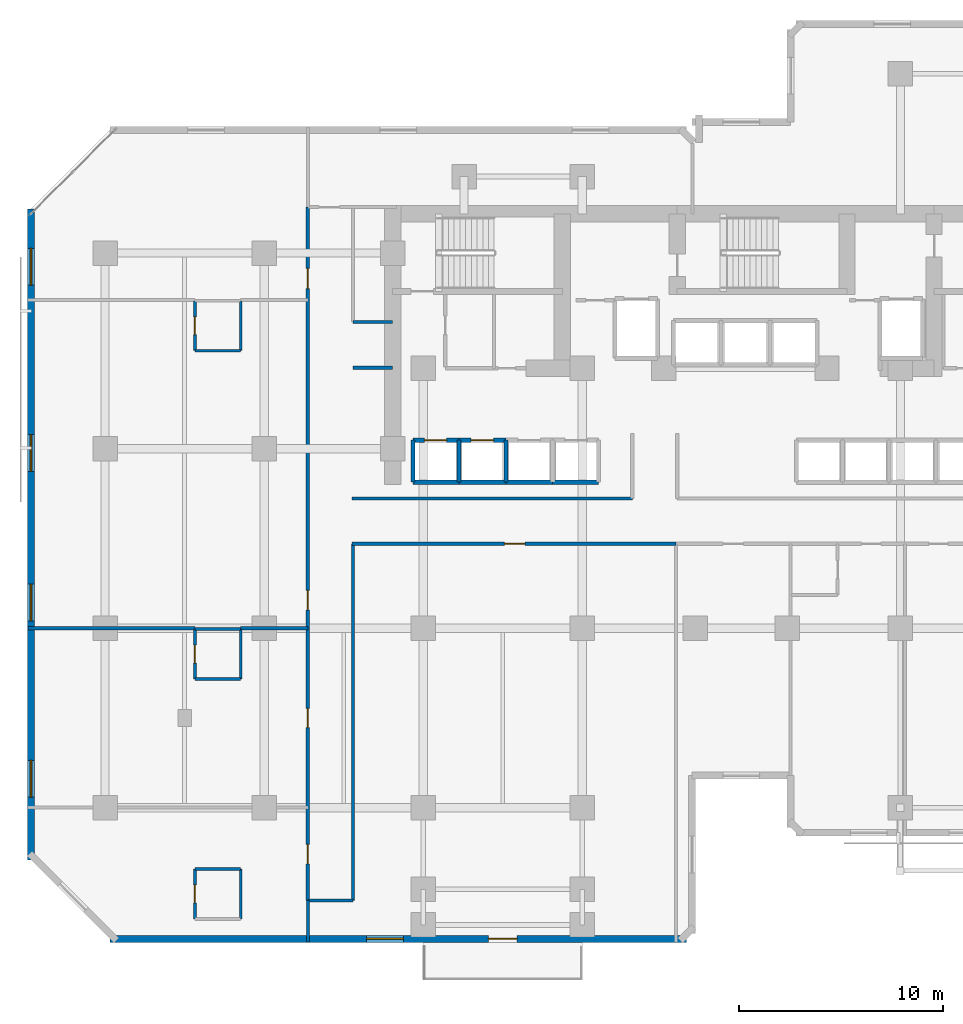
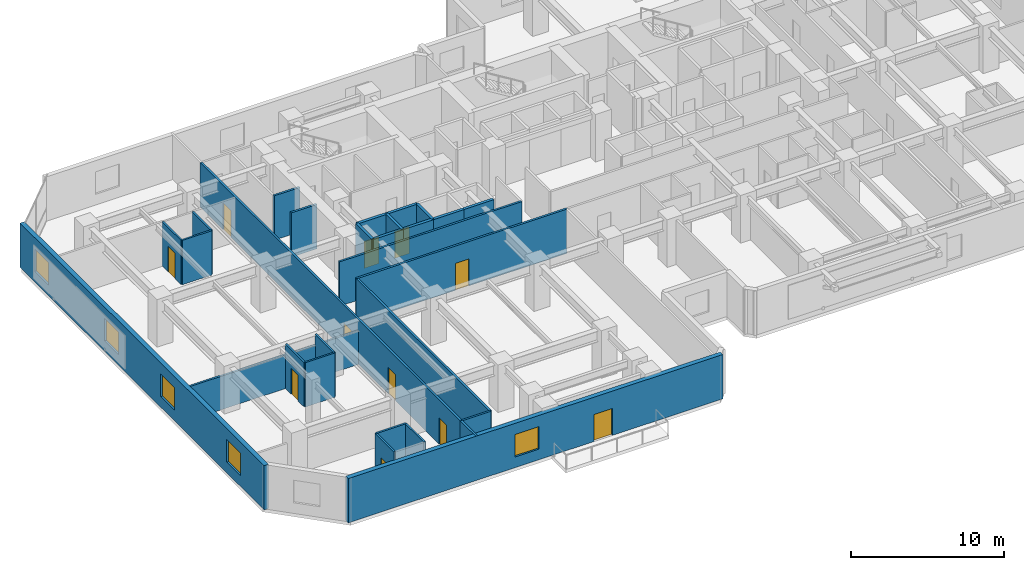
# One storey, part 6 of 12: 31 walls, 11 doors, 5 windows, 16 openings.
"""IFC4 building model written with IfcOpenShell, lengths in metres."""

import ifcopenshell
import ifcopenshell.guid

model = None  # the IFC model being written
_history = None  # IfcOwnerHistory: only IFC2X3 demands one
_inside = {}  # id of a spatial element -> (the spatial element, [elements in it])
_under = {}  # id of a project, library or spatial element -> (it, [spatial elements below it])
_declared = {}  # id of a project -> (the project, [libraries it declares])
_typed = {}  # id of a type object -> (the type object, [elements of that type])
_made_of = {}  # id of a material, layer set ... -> (it, [elements and type objects made of it])


def new_model(schema):
    """Start an empty IFC model of exactly this schema.

    Asked for "IFC4X3", IfcOpenShell would pick the latest addendum, in which some entities
    have other attributes; the version numbers below select the first issue.
    IFC2X3 requires an IfcOwnerHistory on every rooted entity: one is made here for all.
    """
    global model, _history
    if schema == "IFC4X3":
        model = ifcopenshell.file(schema_version=(4, 3, 0, 0))
    else:
        model = ifcopenshell.file(schema=schema)
    _inside.clear()
    _under.clear()
    _declared.clear()
    _typed.clear()
    _made_of.clear()
    _history = None
    if model.schema == "IFC2X3":
        org = make("IfcOrganization", Name="unknown")
        user = make(
            "IfcPersonAndOrganization",
            ThePerson=make("IfcPerson", FamilyName="unknown"),
            TheOrganization=org,
        )
        app = make(
            "IfcApplication",
            ApplicationDeveloper=org,
            Version="unknown",
            ApplicationFullName="unknown",
            ApplicationIdentifier="unknown",
        )
        _history = make(
            "IfcOwnerHistory",
            OwningUser=user,
            OwningApplication=app,
            ChangeAction="ADDED",
            CreationDate=0,
        )
    return model


def make(cls, **values):
    """One entity of the class cls with the attributes given. An attribute that is None is left unset."""
    return model.create_entity(
        cls, **{name: value for name, value in values.items() if value is not None}
    )


def rooted(cls, **values):
    """An entity with a GlobalId (a new one), such as an element, a storey or a relation."""
    return make(cls, GlobalId=ifcopenshell.guid.new(), OwnerHistory=_history, **values)


def si_unit(unit_type, name, prefix=None):
    """IfcSIUnit, for example si_unit("LENGTHUNIT", "METRE", prefix="MILLI")."""
    return make("IfcSIUnit", UnitType=unit_type, Prefix=prefix, Name=name)


def assignment(units):
    """IfcUnitAssignment: the units of a project."""
    return None if units is None else make("IfcUnitAssignment", Units=units)


def point(xyz):
    """IfcCartesianPoint."""
    return None if xyz is None else make("IfcCartesianPoint", Coordinates=xyz)


def direction(xyz):
    """IfcDirection."""
    return None if xyz is None else make("IfcDirection", DirectionRatios=xyz)


def frame(location, z_axis=None, x_axis=None):
    """IfcAxis2Placement3D, a coordinate frame: its origin and axes. An axis left out is left unset."""
    return make(
        "IfcAxis2Placement3D",
        Location=point(location),
        Axis=direction(z_axis),
        RefDirection=direction(x_axis),
    )


def frame_2d(location, x_axis=None):
    """IfcAxis2Placement2D, a coordinate frame in the plane: its origin and x axis."""
    return make(
        "IfcAxis2Placement2D", Location=point(location), RefDirection=direction(x_axis)
    )


def origin():
    """The frame at (0, 0, 0) with its axes left unset."""
    return frame((0.0, 0.0, 0.0))


def place(relative_to, where):
    """IfcLocalPlacement: puts the frame where relative to a parent placement (None: the world)."""
    return make(
        "IfcLocalPlacement", PlacementRelTo=relative_to, RelativePlacement=where
    )


def context(
    kind, dimensions, precision=None, world=None, true_north=None, identifier=None
):
    """IfcGeometricRepresentationContext, for example the 3D "Model" context."""
    return make(
        "IfcGeometricRepresentationContext",
        ContextIdentifier=identifier,
        ContextType=kind,
        CoordinateSpaceDimension=dimensions,
        Precision=precision,
        WorldCoordinateSystem=world,
        TrueNorth=true_north,
    )


def subcontext(parent, identifier, kind, view, scale=None):
    """IfcGeometricRepresentationSubContext, for example "Body" below "Model"."""
    return make(
        "IfcGeometricRepresentationSubContext",
        ContextIdentifier=identifier,
        ContextType=kind,
        ParentContext=parent,
        TargetScale=scale,
        TargetView=view,
    )


def project(units=None, contexts=None):
    """IfcProject with its units and contexts."""
    return rooted(
        "IfcProject",
        Name="project",
        RepresentationContexts=contexts,
        UnitsInContext=assignment(units),
    )


def spatial(cls, under=None, at=None, **own):
    """A site, building, storey or space (cls), placed at a placement, below another one or the project."""
    s = rooted(cls, ObjectPlacement=at, **own)
    if under is not None:
        _under.setdefault(under.id(), (under, []))[1].append(s)
    return s


def profile(cls, at=None, kind="AREA", **sizes):
    """A parametric profile (cls). Its sizes go by their IFC names, for example OverallWidth=200.0."""
    return make(cls, ProfileType=kind, Position=at, **sizes)


def rectangle(**sizes):
    """IfcRectangleProfileDef."""
    return profile("IfcRectangleProfileDef", **sizes)


def extrude(swept, where, along, depth):
    """IfcExtrudedAreaSolid: the profile swept, set in the frame where, extruded along a direction by depth."""
    return make(
        "IfcExtrudedAreaSolid",
        SweptArea=swept,
        Position=where,
        ExtrudedDirection=direction(along),
        Depth=depth,
    )


def shape(context_of_items, identifier, shape_type, items):
    """IfcShapeRepresentation: the items that make up one representation, for example the "Body"."""
    return make(
        "IfcShapeRepresentation",
        ContextOfItems=context_of_items,
        RepresentationIdentifier=identifier,
        RepresentationType=shape_type,
        Items=items,
    )


def material(Name=None, Category=None):
    """IfcMaterial."""
    return make("IfcMaterial", Name=Name, Category=Category)


def layer(
    of_material, thickness, ventilated=None, Name=None, Category=None, Priority=None
):
    """IfcMaterialLayer: one layer of a wall or slab, of a material (None: an air gap)."""
    return make(
        "IfcMaterialLayer",
        Material=of_material,
        LayerThickness=thickness,
        IsVentilated=ventilated,
        Name=Name,
        Category=Category,
        Priority=Priority,
    )


def layer_set(layers, Name=None):
    """IfcMaterialLayerSet."""
    return make("IfcMaterialLayerSet", MaterialLayers=layers, LayerSetName=Name)


def made_of(thing, what):
    """Note that an element or type object is made of a material, layer set ...; save() writes the relation."""
    if what is not None:
        _made_of.setdefault(what.id(), (what, []))[1].append(thing)
    return thing


def type_object(cls, material=None, **own):
    """A type object (cls), such as IfcWallType, which elements share."""
    return made_of(rooted(cls, **own), material)


def element(
    cls,
    number,
    at=None,
    inside=None,
    cuts=None,
    type_object=None,
    material=None,
    context=None,
    identifier="Body",
    shape_type=None,
    held_by="IfcProductDefinitionShape",
    body=None,
    shapes=None,
    **own,
):
    """One element of the class cls, such as IfcWall. Its Tag is "e" and its number.

    at: its placement. inside: the storey or other place that contains it. cuts: it is an
    opening in that element (IfcRelVoidsElement). A single representation is given by context,
    identifier, shape_type and body (its items); several are given by shapes. held_by: the class
    of the entity that holds the representations. save() writes the other relations.
    """
    e = rooted(cls, Tag="e%d" % number, ObjectPlacement=at, **own)
    if body is not None:
        shapes = [shape(context, identifier, shape_type, body)]
    if shapes is not None:
        e.Representation = make(held_by, Representations=shapes)
    if inside is not None:
        _inside.setdefault(inside.id(), (inside, []))[1].append(e)
    if cuts is not None:
        rooted(
            "IfcRelVoidsElement", RelatingBuildingElement=cuts, RelatedOpeningElement=e
        )
    if type_object is not None:
        _typed.setdefault(type_object.id(), (type_object, []))[1].append(e)
    return made_of(e, material)


def fill(opening, filler):
    """IfcRelFillsElement: the door or window that sits in an opening."""
    return rooted(
        "IfcRelFillsElement",
        RelatingOpeningElement=opening,
        RelatedBuildingElement=filler,
    )


def aggregate(whole, parts):
    """IfcRelAggregates: a whole, such as a stair, and the parts it consists of."""
    return rooted("IfcRelAggregates", RelatingObject=whole, RelatedObjects=parts)


def save(model, path):
    """Write the relations noted so far, then the file.

    IfcRelAggregates (storeys below a building ...), IfcRelContainedInSpatialStructure (elements
    in a storey), IfcRelDefinesByType, IfcRelAssociatesMaterial and IfcRelDeclares: one each for
    every whole, place, type object, material and project.
    """
    for whole, parts in _under.values():
        aggregate(whole, parts)
    for where, things in _inside.values():
        rooted(
            "IfcRelContainedInSpatialStructure",
            RelatedElements=things,
            RelatingStructure=where,
        )
    for kind, things in _typed.values():
        rooted("IfcRelDefinesByType", RelatedObjects=things, RelatingType=kind)
    for what, things in _made_of.values():
        rooted("IfcRelAssociatesMaterial", RelatedObjects=things, RelatingMaterial=what)
    for by, libraries in _declared.values():
        rooted("IfcRelDeclares", RelatingContext=by, RelatedDefinitions=libraries)
    model.write(path)


model = new_model("IFC4")

# Units and contexts
model_context = context("Model", 3, precision=1e-05, world=origin(), true_north=direction((0.0, 1.0)))
body_context = subcontext(model_context, "Body", "Model", "MODEL_VIEW")
ifc_project = project(units=[si_unit("LENGTHUNIT", "METRE"), si_unit("AREAUNIT", "SQUARE_METRE"), si_unit("VOLUMEUNIT", "CUBIC_METRE"), si_unit("PLANEANGLEUNIT", "RADIAN"), si_unit("MASSUNIT", "GRAM", prefix="KILO")], contexts=[model_context])

# Site, building, storey
site_placement = place(None, origin())
site = spatial("IfcSite", under=ifc_project, at=site_placement, CompositionType="ELEMENT")
building_placement = place(site_placement, origin())
building = spatial("IfcBuilding", under=site, at=building_placement, Name="Kestravale Grand Hotel", CompositionType="ELEMENT")
storey_placement = place(building_placement, frame((0.0, 0.0, 103.199951171875)))
storey = spatial("IfcBuildingStorey", under=building, at=storey_placement, Name="L25", CompositionType="ELEMENT", Elevation=103.199951171875)

# Wall, openings, door, window
ifc_material_1 = material(Name="Precast concrete f'c 45 MPa", Category="concrete")
ifc_layer_1 = layer(ifc_material_1, 0.340087890625)
ifc_layer_set_1 = layer_set([ifc_layer_1], Name="EW-PREC-340")
wall_type_1 = type_object("IfcWallType", Name="EW-PREC-340", PredefinedType="SOLIDWALL", material=ifc_layer_set_1)
wall_1_placement = place(storey_placement, frame((8.030029296875, 4.77001953125, 0.0), z_axis=(0.0, 0.0, 1.0), x_axis=(1.0, 0.0, 0.0)))
wall_1 = element("IfcWall", 1, at=wall_1_placement, inside=storey, type_object=wall_type_1, Name="L25 fluted precast facade wall 1", PredefinedType="SOLIDWALL", context=body_context, shape_type="SweptSolid", body=[
    extrude(rectangle(XDim=28.2900390625, YDim=0.340087890625, at=frame_2d((14.14501953125, 0.0))), origin(), (0.0, 0.0, 1.0), 3.5400390625),
])
opening_1_placement = place(wall_1_placement, frame((18.570068359375, 0.0, 0.0)))
opening_1 = element("IfcOpeningElement", 2, at=opening_1_placement, cuts=wall_1, Name="Opening D-TERR-1400", PredefinedType="OPENING", context=body_context, shape_type="SweptSolid", body=[
    extrude(rectangle(XDim=1.39990234375, YDim=2.14990234375, at=frame_2d((0.699951171875, 1.074951171875))), frame((0.0, 0.179931640625, 0.0), z_axis=(0.0, -1.0, 0.0), x_axis=(1.0, 0.0, 0.0)), (0.0, 0.0, 1.0), 0.360107421875),
])
opening_2_placement = place(wall_1_placement, frame((12.594970703125, 0.0, 0.85009765625)))
opening_2 = element("IfcOpeningElement", 3, at=opening_2_placement, cuts=wall_1, Name="Opening W-GUEST-1800", PredefinedType="OPENING", context=body_context, shape_type="SweptSolid", body=[
    extrude(rectangle(XDim=1.800048828125, YDim=1.800048828125, at=frame_2d((0.89990234375, 0.89990234375))), frame((0.0, 0.179931640625, 0.0), z_axis=(0.0, -1.0, 0.0), x_axis=(1.0, 0.0, 0.0)), (0.0, 0.0, 1.0), 0.360107421875),
])
ifc_material_2 = material(Name="Insulated glazed champagne-bronze aluminium door", Category="aluminium")
door_type_1 = type_object("IfcDoorType", Name="D-TERR-1400", OperationType="NOTDEFINED", PredefinedType="DOOR", material=ifc_material_2)
door_1_placement = place(opening_1_placement, origin())
door_1 = element("IfcDoor", 4, at=door_1_placement, inside=storey, type_object=door_type_1, Name="L25 outdoor garden terrace door", OperationType="DOUBLE_DOOR_SINGLE_SWING", OverallHeight=2.14990234375, OverallWidth=1.39990234375, PredefinedType="DOOR", context=body_context, shape_type="SweptSolid", body=[
    extrude(rectangle(XDim=1.39990234375, YDim=2.14990234375, at=frame_2d((0.699951171875, 1.074951171875))), frame((0.0, 0.02490234375, 0.0), z_axis=(0.0, -1.0, 0.0), x_axis=(1.0, 0.0, 0.0)), (0.0, 0.0, 1.0), 0.050048828125),
])
fill(opening_1, door_1)
ifc_material_3 = material(Name="Insulated low-E double glazing in aluminium frame", Category="aluminium")
window_type = type_object("IfcWindowType", Name="W-GUEST-1800", PartitioningType="DOUBLE_PANEL_VERTICAL", PredefinedType="WINDOW", material=ifc_material_3)
window_1_placement = place(opening_2_placement, origin())
window_1 = element("IfcWindow", 5, at=window_1_placement, inside=storey, type_object=window_type, Name="L25 exterior window 1.1", OverallHeight=1.800048828125, OverallWidth=1.800048828125, PartitioningType="SINGLE_PANEL", PredefinedType="WINDOW", context=body_context, shape_type="SweptSolid", body=[
    extrude(rectangle(XDim=1.800048828125, YDim=1.800048828125, at=frame_2d((0.89990234375, 0.89990234375))), frame((0.0, 0.030029296875, 0.0), z_axis=(0.0, -1.0, 0.0), x_axis=(1.0, 0.0, 0.0)), (0.0, 0.0, 1.0), 0.06005859375),
])
fill(opening_2, window_1)

# Wall, openings, windows
wall_2_placement = place(storey_placement, frame((4.169921875, 40.570068359375, 0.0), z_axis=(0.0, 0.0, 1.0), x_axis=(0.0, -1.0, 0.0)))
wall_2 = element("IfcWall", 6, at=wall_2_placement, inside=storey, type_object=wall_type_1, Name="L25 fluted precast facade wall 19", PredefinedType="SOLIDWALL", context=body_context, shape_type="SweptSolid", body=[
    extrude(rectangle(XDim=31.940185546875, YDim=0.340087890625, at=frame_2d((15.97021484375, 0.0))), origin(), (0.0, 0.0, 1.0), 3.5400390625),
])
opening_3_placement = place(wall_2_placement, frame((1.9423828125, 0.0, 0.85009765625)))
opening_3 = element("IfcOpeningElement", 7, at=opening_3_placement, cuts=wall_2, Name="Opening W-GUEST-1800", PredefinedType="OPENING", context=body_context, shape_type="SweptSolid", body=[
    extrude(rectangle(XDim=1.800048828125, YDim=1.800048828125, at=frame_2d((0.89990234375, 0.89990234375))), frame((0.0, 0.179931640625, 0.0), z_axis=(0.0, -1.0, 0.0), x_axis=(1.0, 0.0, 0.0)), (0.0, 0.0, 1.0), 0.360107421875),
])
opening_4_placement = place(wall_2_placement, frame((11.077392578125, 0.0, 0.85009765625)))
opening_4 = element("IfcOpeningElement", 8, at=opening_4_placement, cuts=wall_2, Name="Opening W-GUEST-1800", PredefinedType="OPENING", context=body_context, shape_type="SweptSolid", body=[
    extrude(rectangle(XDim=1.800048828125, YDim=1.800048828125, at=frame_2d((0.89990234375, 0.89990234375))), frame((0.0, 0.179931640625, 0.0), z_axis=(0.0, -1.0, 0.0), x_axis=(1.0, 0.0, 0.0)), (0.0, 0.0, 1.0), 0.360107421875),
])
opening_5_placement = place(wall_2_placement, frame((18.41259765625, 0.0, 0.85009765625)))
opening_5 = element("IfcOpeningElement", 9, at=opening_5_placement, cuts=wall_2, Name="Opening W-GUEST-1800", PredefinedType="OPENING", context=body_context, shape_type="SweptSolid", body=[
    extrude(rectangle(XDim=1.800048828125, YDim=1.800048828125, at=frame_2d((0.89990234375, 0.89990234375))), frame((0.0, 0.179931640625, 0.0), z_axis=(0.0, -1.0, 0.0), x_axis=(1.0, 0.0, 0.0)), (0.0, 0.0, 1.0), 0.360107421875),
])
opening_6_placement = place(wall_2_placement, frame((27.047607421875, 0.0, 0.85009765625)))
opening_6 = element("IfcOpeningElement", 10, at=opening_6_placement, cuts=wall_2, Name="Opening W-GUEST-1800", PredefinedType="OPENING", context=body_context, shape_type="SweptSolid", body=[
    extrude(rectangle(XDim=1.800048828125, YDim=1.800048828125, at=frame_2d((0.89990234375, 0.89990234375))), frame((0.0, 0.179931640625, 0.0), z_axis=(0.0, -1.0, 0.0), x_axis=(1.0, 0.0, 0.0)), (0.0, 0.0, 1.0), 0.360107421875),
])
window_2_placement = place(opening_3_placement, origin())
window_2 = element("IfcWindow", 11, at=window_2_placement, inside=storey, type_object=window_type, Name="L25 exterior window 19.1", OverallHeight=1.800048828125, OverallWidth=1.800048828125, PartitioningType="SINGLE_PANEL", PredefinedType="WINDOW", context=body_context, shape_type="SweptSolid", body=[
    extrude(rectangle(XDim=1.800048828125, YDim=1.800048828125, at=frame_2d((0.89990234375, 0.89990234375))), frame((0.0, 0.030029296875, 0.0), z_axis=(0.0, -1.0, 0.0), x_axis=(1.0, 0.0, 0.0)), (0.0, 0.0, 1.0), 0.06005859375),
])
fill(opening_3, window_2)
window_3_placement = place(opening_4_placement, origin())
window_3 = element("IfcWindow", 12, at=window_3_placement, inside=storey, type_object=window_type, Name="L25 exterior window 19.2", OverallHeight=1.800048828125, OverallWidth=1.800048828125, PartitioningType="SINGLE_PANEL", PredefinedType="WINDOW", context=body_context, shape_type="SweptSolid", body=[
    extrude(rectangle(XDim=1.800048828125, YDim=1.800048828125, at=frame_2d((0.89990234375, 0.89990234375))), frame((0.0, 0.030029296875, 0.0), z_axis=(0.0, -1.0, 0.0), x_axis=(1.0, 0.0, 0.0)), (0.0, 0.0, 1.0), 0.06005859375),
])
fill(opening_4, window_3)
window_4_placement = place(opening_5_placement, origin())
window_4 = element("IfcWindow", 13, at=window_4_placement, inside=storey, type_object=window_type, Name="L25 exterior window 19.3", OverallHeight=1.800048828125, OverallWidth=1.800048828125, PartitioningType="SINGLE_PANEL", PredefinedType="WINDOW", context=body_context, shape_type="SweptSolid", body=[
    extrude(rectangle(XDim=1.800048828125, YDim=1.800048828125, at=frame_2d((0.89990234375, 0.89990234375))), frame((0.0, 0.030029296875, 0.0), z_axis=(0.0, -1.0, 0.0), x_axis=(1.0, 0.0, 0.0)), (0.0, 0.0, 1.0), 0.06005859375),
])
fill(opening_5, window_4)
window_5_placement = place(opening_6_placement, origin())
window_5 = element("IfcWindow", 14, at=window_5_placement, inside=storey, type_object=window_type, Name="L25 exterior window 19.4", OverallHeight=1.800048828125, OverallWidth=1.800048828125, PartitioningType="SINGLE_PANEL", PredefinedType="WINDOW", context=body_context, shape_type="SweptSolid", body=[
    extrude(rectangle(XDim=1.800048828125, YDim=1.800048828125, at=frame_2d((0.89990234375, 0.89990234375))), frame((0.0, 0.030029296875, 0.0), z_axis=(0.0, -1.0, 0.0), x_axis=(1.0, 0.0, 0.0)), (0.0, 0.0, 1.0), 0.06005859375),
])
fill(opening_6, window_5)

# Wall
ifc_material_4 = material(Name="Acoustic fire-rated gypsum board partition", Category="other")
ifc_layer_2 = layer(ifc_material_4, 0.159912109375)
ifc_layer_set_2 = layer_set([ifc_layer_2], Name="IW-CORR-160")
wall_type_2 = type_object("IfcWallType", Name="IW-CORR-160", PredefinedType="PARTITIONING", material=ifc_layer_set_2)
wall_3_placement = place(storey_placement, frame((19.89990234375, 26.360107421875, 0.0), z_axis=(0.0, 0.0, 1.0), x_axis=(1.0, 0.0, 0.0)))
element("IfcWall", 15, at=wall_3_placement, inside=storey, type_object=wall_type_2, Name="W-L25-CW-N", PredefinedType="PARTITIONING", context=body_context, shape_type="SweptSolid", body=[
    extrude(rectangle(XDim=13.75, YDim=0.159912109375, at=frame_2d((6.875, 0.0))), origin(), (0.0, 0.0, 1.0), 3.5400390625),
])

# Wall, opening, door
wall_4_placement = place(storey_placement, frame((19.89990234375, 24.139892578125, 0.0), z_axis=(0.0, 0.0, 1.0), x_axis=(1.0, 0.0, 0.0)))
wall_4 = element("IfcWall", 16, at=wall_4_placement, inside=storey, type_object=wall_type_2, Name="W-L25-CW-S", PredefinedType="PARTITIONING", context=body_context, shape_type="SweptSolid", body=[
    extrude(rectangle(XDim=15.900146484375, YDim=0.159912109375, at=frame_2d((7.9501953125, 0.0))), origin(), (0.0, 0.0, 1.0), 3.5400390625),
])
opening_7_placement = place(wall_4_placement, frame((7.47998046875, 0.0, 0.0)))
opening_7 = element("IfcOpeningElement", 17, at=opening_7_placement, cuts=wall_4, Name="Opening D-GUEST-1000", PredefinedType="OPENING", context=body_context, shape_type="SweptSolid", body=[
    extrude(rectangle(XDim=1.0, YDim=2.14990234375, at=frame_2d((0.5, 1.074951171875))), frame((0.0, 0.08984375, 0.0), z_axis=(0.0, -1.0, 0.0), x_axis=(1.0, 0.0, 0.0)), (0.0, 0.0, 1.0), 0.179931640625),
])
ifc_material_5 = material(Name="Accessible walnut veneer hotel entrance fire door", Category="wood")
door_type_2 = type_object("IfcDoorType", Name="D-GUEST-1000", OperationType="NOTDEFINED", PredefinedType="DOOR", material=ifc_material_5)
door_2_placement = place(opening_7_placement, origin())
door_2 = element("IfcDoor", 18, at=door_2_placement, inside=storey, type_object=door_type_2, Name="D-L25-AMW", OperationType="SINGLE_SWING_LEFT", OverallHeight=2.14990234375, OverallWidth=1.0, PredefinedType="DOOR", context=body_context, shape_type="SweptSolid", body=[
    extrude(rectangle(XDim=1.0, YDim=2.14990234375, at=frame_2d((0.5, 1.074951171875))), frame((0.0, 0.02490234375, 0.0), z_axis=(0.0, -1.0, 0.0), x_axis=(1.0, 0.0, 0.0)), (0.0, 0.0, 1.0), 0.050048828125),
])
fill(opening_7, door_2)

# Wall, openings, doors
wall_5_placement = place(storey_placement, frame((17.739990234375, 6.64990234375, 0.0), z_axis=(0.0, 0.0, 1.0), x_axis=(0.0, 1.0, 0.0)))
wall_5 = element("IfcWall", 19, at=wall_5_placement, inside=storey, type_object=wall_type_2, Name="W-L25-SW-W", PredefinedType="PARTITIONING", context=body_context, shape_type="SweptSolid", body=[
    extrude(rectangle(XDim=34.0, YDim=0.159912109375, at=frame_2d((17.0, 0.0))), origin(), (0.0, 0.0, 1.0), 3.5400390625),
])
opening_8_placement = place(wall_5_placement, frame((1.800048828125, 0.0, 0.0)))
opening_8 = element("IfcOpeningElement", 20, at=opening_8_placement, cuts=wall_5, Name="Opening D-GUEST-950", PredefinedType="OPENING", context=body_context, shape_type="SweptSolid", body=[
    extrude(rectangle(XDim=0.949951171875, YDim=2.10009765625, at=frame_2d((0.47509765625, 1.050048828125))), frame((0.0, 0.08984375, 0.0), z_axis=(0.0, -1.0, 0.0), x_axis=(1.0, 0.0, 0.0)), (0.0, 0.0, 1.0), 0.179931640625),
])
opening_9_placement = place(wall_5_placement, frame((8.47509765625, 0.0, 0.0)))
opening_9 = element("IfcOpeningElement", 21, at=opening_9_placement, cuts=wall_5, Name="Opening D-GUEST-950", PredefinedType="OPENING", context=body_context, shape_type="SweptSolid", body=[
    extrude(rectangle(XDim=0.949951171875, YDim=2.10009765625, at=frame_2d((0.47509765625, 1.050048828125))), frame((0.0, 0.08984375, 0.0), z_axis=(0.0, -1.0, 0.0), x_axis=(1.0, 0.0, 0.0)), (0.0, 0.0, 1.0), 0.179931640625),
])
opening_10_placement = place(wall_5_placement, frame((14.254638671875, 0.0, 0.0)))
opening_10 = element("IfcOpeningElement", 22, at=opening_10_placement, cuts=wall_5, Name="Opening D-GUEST-950", PredefinedType="OPENING", context=body_context, shape_type="SweptSolid", body=[
    extrude(rectangle(XDim=0.949951171875, YDim=2.10009765625, at=frame_2d((0.47509765625, 1.050048828125))), frame((0.0, 0.08984375, 0.0), z_axis=(0.0, -1.0, 0.0), x_axis=(1.0, 0.0, 0.0)), (0.0, 0.0, 1.0), 0.179931640625),
])
opening_11_placement = place(wall_5_placement, frame((30.0, 0.0, 0.0)))
opening_11 = element("IfcOpeningElement", 23, at=opening_11_placement, cuts=wall_5, Name="Opening D-GUEST-1000", PredefinedType="OPENING", context=body_context, shape_type="SweptSolid", body=[
    extrude(rectangle(XDim=1.0, YDim=2.14990234375, at=frame_2d((0.5, 1.074951171875))), frame((0.0, 0.08984375, 0.0), z_axis=(0.0, -1.0, 0.0), x_axis=(1.0, 0.0, 0.0)), (0.0, 0.0, 1.0), 0.179931640625),
])
door_3_placement = place(opening_11_placement, origin())
door_3 = element("IfcDoor", 24, at=door_3_placement, inside=storey, type_object=door_type_2, Name="D-L25-AMWW", OperationType="SINGLE_SWING_LEFT", OverallHeight=2.14990234375, OverallWidth=1.0, PredefinedType="DOOR", context=body_context, shape_type="SweptSolid", body=[
    extrude(rectangle(XDim=1.0, YDim=2.14990234375, at=frame_2d((0.5, 1.074951171875))), frame((0.0, 0.02490234375, 0.0), z_axis=(0.0, -1.0, 0.0), x_axis=(1.0, 0.0, 0.0)), (0.0, 0.0, 1.0), 0.050048828125),
])
fill(opening_11, door_3)
ifc_material_6 = material(Name="Walnut veneer hotel guestroom entrance fire door", Category="wood")
door_type_3 = type_object("IfcDoorType", Name="D-GUEST-950", OperationType="NOTDEFINED", PredefinedType="DOOR", material=ifc_material_6)
door_4_placement = place(opening_8_placement, origin())
door_4 = element("IfcDoor", 25, at=door_4_placement, inside=storey, type_object=door_type_3, Name="D-L25-U04-ENT", OperationType="SINGLE_SWING_RIGHT", OverallHeight=2.10009765625, OverallWidth=0.949951171875, PredefinedType="DOOR", context=body_context, shape_type="SweptSolid", body=[
    extrude(rectangle(XDim=0.949951171875, YDim=2.10009765625, at=frame_2d((0.47509765625, 1.050048828125))), frame((0.0, 0.02490234375, 0.0), z_axis=(0.0, -1.0, 0.0), x_axis=(1.0, 0.0, 0.0)), (0.0, 0.0, 1.0), 0.050048828125),
])
fill(opening_8, door_4)
door_5_placement = place(opening_9_placement, origin())
door_5 = element("IfcDoor", 26, at=door_5_placement, inside=storey, type_object=door_type_3, Name="D-L25-U05-ENT", OperationType="SINGLE_SWING_RIGHT", OverallHeight=2.10009765625, OverallWidth=0.949951171875, PredefinedType="DOOR", context=body_context, shape_type="SweptSolid", body=[
    extrude(rectangle(XDim=0.949951171875, YDim=2.10009765625, at=frame_2d((0.47509765625, 1.050048828125))), frame((0.0, 0.02490234375, 0.0), z_axis=(0.0, -1.0, 0.0), x_axis=(1.0, 0.0, 0.0)), (0.0, 0.0, 1.0), 0.050048828125),
])
fill(opening_9, door_5)
door_6_placement = place(opening_10_placement, origin())
door_6 = element("IfcDoor", 27, at=door_6_placement, inside=storey, type_object=door_type_3, Name="D-L25-U06-ENT", OperationType="SINGLE_SWING_RIGHT", OverallHeight=2.10009765625, OverallWidth=0.949951171875, PredefinedType="DOOR", context=body_context, shape_type="SweptSolid", body=[
    extrude(rectangle(XDim=0.949951171875, YDim=2.10009765625, at=frame_2d((0.47509765625, 1.050048828125))), frame((0.0, 0.02490234375, 0.0), z_axis=(0.0, -1.0, 0.0), x_axis=(1.0, 0.0, 0.0)), (0.0, 0.0, 1.0), 0.050048828125),
])
fill(opening_10, door_6)

# Walls
wall_6_placement = place(storey_placement, frame((19.9599609375, 6.64990234375, 0.0), z_axis=(0.0, 0.0, 1.0), x_axis=(0.0, 1.0, 0.0)))
element("IfcWall", 28, at=wall_6_placement, inside=storey, type_object=wall_type_2, Name="W-L25-SW-E", PredefinedType="PARTITIONING", context=body_context, shape_type="SweptSolid", body=[
    extrude(rectangle(XDim=17.489990234375, YDim=0.159912109375, at=frame_2d((8.7451171875, 0.0))), origin(), (0.0, 0.0, 1.0), 3.5400390625),
])
for number, where, z_axis, x_axis, name in (
    (29, (19.9599609375, 35.02001953125, 0.0), (0.0, 0.0, 1.0), (1.0, 0.0, 0.0), "W-L25-SW-CN"),
    (30, (19.9599609375, 32.780029296875, 0.0), (0.0, 0.0, 1.0), (1.0, 0.0, 0.0), "W-L25-SW-CS"),
):
    element("IfcWall", number, at=place(storey_placement, frame(where, z_axis=z_axis, x_axis=x_axis)), inside=storey, type_object=wall_type_2, Name=name, PredefinedType="PARTITIONING", context=body_context, shape_type="SweptSolid", body=[
        extrude(rectangle(XDim=1.93994140625, YDim=0.159912109375, at=frame_2d((0.969970703125, 0.0))), origin(), (0.0, 0.0, 1.0), 3.5400390625),
    ])

# Wall, opening, door
ifc_material_7 = material(Name="Moisture-resistant tile-backer plumbing chase wall", Category="other")
ifc_layer_3 = layer(ifc_material_7, 0.139892578125)
ifc_layer_set_3 = layer_set([ifc_layer_3], Name="IW-PLB-140")
wall_type_3 = type_object("IfcWallType", Name="IW-PLB-140", PredefinedType="PLUMBINGWALL", material=ifc_layer_set_3)
wall_7_placement = place(storey_placement, frame((12.199951171875, 5.75, 0.0), z_axis=(0.0, 0.0, 1.0), x_axis=(0.0, 1.0, 0.0)))
wall_7 = element("IfcWall", 31, at=wall_7_placement, inside=storey, type_object=wall_type_3, Name="W-L25-U04-BW", PredefinedType="PLUMBINGWALL", context=body_context, shape_type="SweptSolid", body=[
    extrude(rectangle(XDim=2.449951171875, YDim=0.139892578125, at=frame_2d((1.22509765625, 0.0))), origin(), (0.0, 0.0, 1.0), 3.5400390625),
])
opening_12_placement = place(wall_7_placement, frame((0.784912109375, 0.0, 0.0)))
opening_12 = element("IfcOpeningElement", 32, at=opening_12_placement, cuts=wall_7, Name="Opening D-BATH-880", PredefinedType="OPENING", context=body_context, shape_type="SweptSolid", body=[
    extrude(rectangle(XDim=0.8798828125, YDim=2.050048828125, at=frame_2d((0.43994140625, 1.02490234375))), frame((0.0, 0.079833984375, 0.0), z_axis=(0.0, -1.0, 0.0), x_axis=(1.0, 0.0, 0.0)), (0.0, 0.0, 1.0), 0.159912109375),
])
ifc_material_8 = material(Name="Moisture-sealed walnut en-suite bathroom door", Category="wood")
door_type_4 = type_object("IfcDoorType", Name="D-BATH-880", OperationType="NOTDEFINED", PredefinedType="DOOR", material=ifc_material_8)
door_7_placement = place(opening_12_placement, origin())
door_7 = element("IfcDoor", 33, at=door_7_placement, inside=storey, type_object=door_type_4, Name="D-L25-U04-BATH", OperationType="SINGLE_SWING_LEFT", OverallHeight=2.050048828125, OverallWidth=0.8798828125, PredefinedType="DOOR", context=body_context, shape_type="SweptSolid", body=[
    extrude(rectangle(XDim=0.8798828125, YDim=2.050048828125, at=frame_2d((0.43994140625, 1.02490234375))), frame((0.0, 0.02490234375, 0.0), z_axis=(0.0, -1.0, 0.0), x_axis=(1.0, 0.0, 0.0)), (0.0, 0.0, 1.0), 0.050048828125),
])
fill(opening_12, door_7)

# Walls
wall_8_placement = place(storey_placement, frame((14.449951171875, 5.75, 0.0), z_axis=(0.0, 0.0, 1.0), x_axis=(0.0, 1.0, 0.0)))
element("IfcWall", 34, at=wall_8_placement, inside=storey, type_object=wall_type_3, Name="W-L25-U04-BE", PredefinedType="PLUMBINGWALL", context=body_context, shape_type="SweptSolid", body=[
    extrude(rectangle(XDim=2.449951171875, YDim=0.139892578125, at=frame_2d((1.22509765625, 0.0))), origin(), (0.0, 0.0, 1.0), 3.5400390625),
])
wall_9_placement = place(storey_placement, frame((12.199951171875, 8.199951171875, 0.0), z_axis=(0.0, 0.0, 1.0), x_axis=(1.0, 0.0, 0.0)))
element("IfcWall", 35, at=wall_9_placement, inside=storey, type_object=wall_type_3, Name="W-L25-U04-BN", PredefinedType="PLUMBINGWALL", context=body_context, shape_type="SweptSolid", body=[
    extrude(rectangle(XDim=2.25, YDim=0.139892578125, at=frame_2d((1.125, 0.0))), origin(), (0.0, 0.0, 1.0), 3.5400390625),
])

# Wall, opening, door
wall_10_placement = place(storey_placement, frame((12.199951171875, 17.510009765625, 0.0), z_axis=(0.0, 0.0, 1.0), x_axis=(0.0, 1.0, 0.0)))
wall_10 = element("IfcWall", 36, at=wall_10_placement, inside=storey, type_object=wall_type_3, Name="W-L25-U05-BW", PredefinedType="PLUMBINGWALL", context=body_context, shape_type="SweptSolid", body=[
    extrude(rectangle(XDim=2.449951171875, YDim=0.139892578125, at=frame_2d((1.22509765625, 0.0))), origin(), (0.0, 0.0, 1.0), 3.5400390625),
])
opening_13_placement = place(wall_10_placement, frame((0.784912109375, 0.0, 0.0)))
opening_13 = element("IfcOpeningElement", 37, at=opening_13_placement, cuts=wall_10, Name="Opening D-BATH-880", PredefinedType="OPENING", context=body_context, shape_type="SweptSolid", body=[
    extrude(rectangle(XDim=0.8798828125, YDim=2.050048828125, at=frame_2d((0.43994140625, 1.02490234375))), frame((0.0, 0.079833984375, 0.0), z_axis=(0.0, -1.0, 0.0), x_axis=(1.0, 0.0, 0.0)), (0.0, 0.0, 1.0), 0.159912109375),
])
door_8_placement = place(opening_13_placement, origin())
door_8 = element("IfcDoor", 38, at=door_8_placement, inside=storey, type_object=door_type_4, Name="D-L25-U05-BATH", OperationType="SINGLE_SWING_LEFT", OverallHeight=2.050048828125, OverallWidth=0.8798828125, PredefinedType="DOOR", context=body_context, shape_type="SweptSolid", body=[
    extrude(rectangle(XDim=0.8798828125, YDim=2.050048828125, at=frame_2d((0.43994140625, 1.02490234375))), frame((0.0, 0.02490234375, 0.0), z_axis=(0.0, -1.0, 0.0), x_axis=(1.0, 0.0, 0.0)), (0.0, 0.0, 1.0), 0.050048828125),
])
fill(opening_13, door_8)

# Walls
wall_11_placement = place(storey_placement, frame((14.449951171875, 17.510009765625, 0.0), z_axis=(0.0, 0.0, 1.0), x_axis=(0.0, 1.0, 0.0)))
element("IfcWall", 39, at=wall_11_placement, inside=storey, type_object=wall_type_3, Name="W-L25-U05-BE", PredefinedType="PLUMBINGWALL", context=body_context, shape_type="SweptSolid", body=[
    extrude(rectangle(XDim=2.449951171875, YDim=0.139892578125, at=frame_2d((1.22509765625, 0.0))), origin(), (0.0, 0.0, 1.0), 3.5400390625),
])
wall_12_placement = place(storey_placement, frame((12.199951171875, 17.510009765625, 0.0), z_axis=(0.0, 0.0, 1.0), x_axis=(1.0, 0.0, 0.0)))
element("IfcWall", 40, at=wall_12_placement, inside=storey, type_object=wall_type_3, Name="W-L25-U05-BS", PredefinedType="PLUMBINGWALL", context=body_context, shape_type="SweptSolid", body=[
    extrude(rectangle(XDim=2.25, YDim=0.139892578125, at=frame_2d((1.125, 0.0))), origin(), (0.0, 0.0, 1.0), 3.5400390625),
])
wall_13_placement = place(storey_placement, frame((12.199951171875, 19.9599609375, 0.0), z_axis=(0.0, 0.0, 1.0), x_axis=(1.0, 0.0, 0.0)))
element("IfcWall", 41, at=wall_13_placement, inside=storey, type_object=wall_type_3, Name="W-L25-U05-BN", PredefinedType="PLUMBINGWALL", context=body_context, shape_type="SweptSolid", body=[
    extrude(rectangle(XDim=2.25, YDim=0.139892578125, at=frame_2d((1.125, 0.0))), origin(), (0.0, 0.0, 1.0), 2.678955078125),
])

# Wall, opening, door
wall_14_placement = place(storey_placement, frame((12.199951171875, 33.610107421875, 0.0), z_axis=(0.0, 0.0, 1.0), x_axis=(0.0, 1.0, 0.0)))
wall_14 = element("IfcWall", 42, at=wall_14_placement, inside=storey, type_object=wall_type_3, Name="W-L25-U06-BW", PredefinedType="PLUMBINGWALL", context=body_context, shape_type="SweptSolid", body=[
    extrude(rectangle(XDim=2.449951171875, YDim=0.139892578125, at=frame_2d((1.22509765625, 0.0))), origin(), (0.0, 0.0, 1.0), 3.5400390625),
])
opening_14_placement = place(wall_14_placement, frame((0.784912109375, 0.0, 0.0)))
opening_14 = element("IfcOpeningElement", 43, at=opening_14_placement, cuts=wall_14, Name="Opening D-BATH-880", PredefinedType="OPENING", context=body_context, shape_type="SweptSolid", body=[
    extrude(rectangle(XDim=0.8798828125, YDim=2.050048828125, at=frame_2d((0.43994140625, 1.02490234375))), frame((0.0, 0.079833984375, 0.0), z_axis=(0.0, -1.0, 0.0), x_axis=(1.0, 0.0, 0.0)), (0.0, 0.0, 1.0), 0.159912109375),
])
door_9_placement = place(opening_14_placement, origin())
door_9 = element("IfcDoor", 44, at=door_9_placement, inside=storey, type_object=door_type_4, Name="D-L25-U06-BATH", OperationType="SINGLE_SWING_LEFT", OverallHeight=2.050048828125, OverallWidth=0.8798828125, PredefinedType="DOOR", context=body_context, shape_type="SweptSolid", body=[
    extrude(rectangle(XDim=0.8798828125, YDim=2.050048828125, at=frame_2d((0.43994140625, 1.02490234375))), frame((0.0, 0.02490234375, 0.0), z_axis=(0.0, -1.0, 0.0), x_axis=(1.0, 0.0, 0.0)), (0.0, 0.0, 1.0), 0.050048828125),
])
fill(opening_14, door_9)

# Walls
wall_15_placement = place(storey_placement, frame((14.449951171875, 33.610107421875, 0.0), z_axis=(0.0, 0.0, 1.0), x_axis=(0.0, 1.0, 0.0)))
element("IfcWall", 45, at=wall_15_placement, inside=storey, type_object=wall_type_3, Name="W-L25-U06-BE", PredefinedType="PLUMBINGWALL", context=body_context, shape_type="SweptSolid", body=[
    extrude(rectangle(XDim=2.449951171875, YDim=0.139892578125, at=frame_2d((1.22509765625, 0.0))), origin(), (0.0, 0.0, 1.0), 3.5400390625),
])
wall_16_placement = place(storey_placement, frame((12.199951171875, 33.610107421875, 0.0), z_axis=(0.0, 0.0, 1.0), x_axis=(1.0, 0.0, 0.0)))
element("IfcWall", 46, at=wall_16_placement, inside=storey, type_object=wall_type_3, Name="W-L25-U06-BS", PredefinedType="PLUMBINGWALL", context=body_context, shape_type="SweptSolid", body=[
    extrude(rectangle(XDim=2.25, YDim=0.139892578125, at=frame_2d((1.125, 0.0))), origin(), (0.0, 0.0, 1.0), 3.5400390625),
])
ifc_material_9 = material(Name="Concrete f'c 45 MPa", Category="concrete")
ifc_layer_4 = layer(ifc_material_9, 0.199951171875)
ifc_layer_set_4 = layer_set([ifc_layer_4], Name="IW-SHAFT-200")
wall_type_4 = type_object("IfcWallType", Name="IW-SHAFT-200", PredefinedType="SHEAR", material=ifc_layer_set_4)
for number, where, z_axis, x_axis, name in (
    (47, (22.905029296875, 27.169921875, 0.0), (0.0, 0.0, 1.0), (0.0, 1.0, 0.0), "L25 PL-L1 west shaft wall"),
    (48, (25.14990234375, 27.169921875, 0.0), (0.0, 0.0, 1.0), (0.0, 1.0, 0.0), "L25 PL-L2 west shaft wall"),
    (49, (27.449951171875, 27.169921875, 0.0), (0.0, 0.0, 1.0), (0.0, 1.0, 0.0), "L25 PL-L3 west shaft wall"),
):
    element("IfcWall", number, at=place(storey_placement, frame(where, z_axis=z_axis, x_axis=x_axis)), inside=storey, type_object=wall_type_4, Name=name, PredefinedType="SHEAR", context=body_context, shape_type="SweptSolid", body=[
        extrude(rectangle(XDim=2.06005859375, YDim=0.199951171875, at=frame_2d((1.030029296875, 0.0))), origin(), (0.0, 0.0, 1.0), 3.800048828125),
    ])

# Wall, opening, door
ifc_material_10 = material(Name="Concrete f'c 45 MPa", Category="concrete")
ifc_layer_5 = layer(ifc_material_10, 0.219970703125)
ifc_layer_set_5 = layer_set([ifc_layer_5], Name="IW-SHAFT-220")
wall_type_5 = type_object("IfcWallType", Name="IW-SHAFT-220", PredefinedType="SHEAR", material=ifc_layer_set_5)
wall_17_placement = place(storey_placement, frame((22.905029296875, 29.22998046875, 0.0), z_axis=(0.0, 0.0, 1.0), x_axis=(1.0, 0.0, 0.0)))
wall_17 = element("IfcWall", 50, at=wall_17_placement, inside=storey, type_object=wall_type_5, Name="L25 PL-L1 north shaft wall", PredefinedType="SHEAR", context=body_context, shape_type="SweptSolid", body=[
    extrude(rectangle(XDim=2.244873046875, YDim=0.219970703125, at=frame_2d((1.12255859375, 0.0))), origin(), (0.0, 0.0, 1.0), 3.800048828125),
])
opening_15_placement = place(wall_17_placement, frame((0.544921875, 0.0, 0.0)))
opening_15 = element("IfcOpeningElement", 51, at=opening_15_placement, cuts=wall_17, Name="Opening LD-PAX-1100", PredefinedType="OPENING", context=body_context, shape_type="SweptSolid", body=[
    extrude(rectangle(XDim=1.10009765625, YDim=2.14990234375, at=frame_2d((0.550048828125, 1.074951171875))), frame((0.0, 0.119873046875, 0.0), z_axis=(0.0, -1.0, 0.0), x_axis=(1.0, 0.0, 0.0)), (0.0, 0.0, 1.0), 0.239990234375),
])
ifc_material_11 = material(Name="Champagne-bronze center-opening sliding elevator landing door", Category="steel")
door_type_5 = type_object("IfcDoorType", Name="LD-PAX-1100", OperationType="NOTDEFINED", PredefinedType="DOOR", material=ifc_material_11)
door_10_placement = place(opening_15_placement, origin())
door_10 = element("IfcDoor", 52, at=door_10_placement, inside=storey, type_object=door_type_5, Name="L25 PL-L1 elevator landing sliding door", OperationType="DOUBLE_DOOR_SLIDING", OverallHeight=2.14990234375, OverallWidth=1.10009765625, PredefinedType="DOOR", context=body_context, shape_type="SweptSolid", body=[
    extrude(rectangle(XDim=1.10009765625, YDim=2.14990234375, at=frame_2d((0.550048828125, 1.074951171875))), frame((0.0, 0.02490234375, 0.0), z_axis=(0.0, -1.0, 0.0), x_axis=(1.0, 0.0, 0.0)), (0.0, 0.0, 1.0), 0.050048828125),
])
fill(opening_15, door_10)

# Wall
wall_18_placement = place(storey_placement, frame((22.905029296875, 27.169921875, 0.0), z_axis=(0.0, 0.0, 1.0), x_axis=(1.0, 0.0, 0.0)))
element("IfcWall", 53, at=wall_18_placement, inside=storey, type_object=wall_type_5, Name="L25 PL-L1 south shaft wall", PredefinedType="SHEAR", context=body_context, shape_type="SweptSolid", body=[
    extrude(rectangle(XDim=2.244873046875, YDim=0.219970703125, at=frame_2d((1.12255859375, 0.0))), origin(), (0.0, 0.0, 1.0), 3.800048828125),
])

# Wall, opening, door
wall_19_placement = place(storey_placement, frame((25.14990234375, 29.22998046875, 0.0), z_axis=(0.0, 0.0, 1.0), x_axis=(1.0, 0.0, 0.0)))
wall_19 = element("IfcWall", 54, at=wall_19_placement, inside=storey, type_object=wall_type_5, Name="L25 PL-L2 north shaft wall", PredefinedType="SHEAR", context=body_context, shape_type="SweptSolid", body=[
    extrude(rectangle(XDim=2.300048828125, YDim=0.219970703125, at=frame_2d((1.14990234375, 0.0))), origin(), (0.0, 0.0, 1.0), 3.800048828125),
])
opening_16_placement = place(wall_19_placement, frame((0.60009765625, 0.0, 0.0)))
opening_16 = element("IfcOpeningElement", 55, at=opening_16_placement, cuts=wall_19, Name="Opening LD-PAX-1100", PredefinedType="OPENING", context=body_context, shape_type="SweptSolid", body=[
    extrude(rectangle(XDim=1.10009765625, YDim=2.14990234375, at=frame_2d((0.550048828125, 1.074951171875))), frame((0.0, 0.119873046875, 0.0), z_axis=(0.0, -1.0, 0.0), x_axis=(1.0, 0.0, 0.0)), (0.0, 0.0, 1.0), 0.239990234375),
])
door_11_placement = place(opening_16_placement, origin())
door_11 = element("IfcDoor", 56, at=door_11_placement, inside=storey, type_object=door_type_5, Name="L25 PL-L2 elevator landing sliding door", OperationType="DOUBLE_DOOR_SLIDING", OverallHeight=2.14990234375, OverallWidth=1.10009765625, PredefinedType="DOOR", context=body_context, shape_type="SweptSolid", body=[
    extrude(rectangle(XDim=1.10009765625, YDim=2.14990234375, at=frame_2d((0.550048828125, 1.074951171875))), frame((0.0, 0.02490234375, 0.0), z_axis=(0.0, -1.0, 0.0), x_axis=(1.0, 0.0, 0.0)), (0.0, 0.0, 1.0), 0.050048828125),
])
fill(opening_16, door_11)

# Walls
for number, where, z_axis, x_axis, name in (
    (57, (25.14990234375, 27.169921875, 0.0), (0.0, 0.0, 1.0), (1.0, 0.0, 0.0), "L25 PL-L2 south shaft wall"),
    (58, (27.449951171875, 27.169921875, 0.0), (0.0, 0.0, 1.0), (1.0, 0.0, 0.0), "L25 PL-L3 south shaft wall"),
):
    element("IfcWall", number, at=place(storey_placement, frame(where, z_axis=z_axis, x_axis=x_axis)), inside=storey, type_object=wall_type_5, Name=name, PredefinedType="SHEAR", context=body_context, shape_type="SweptSolid", body=[
        extrude(rectangle(XDim=2.300048828125, YDim=0.219970703125, at=frame_2d((1.14990234375, 0.0))), origin(), (0.0, 0.0, 1.0), 3.800048828125),
    ])
wall_20_placement = place(storey_placement, frame((29.75, 27.169921875, 0.0), z_axis=(0.0, 0.0, 1.0), x_axis=(1.0, 0.0, 0.0)))
element("IfcWall", 59, at=wall_20_placement, inside=storey, type_object=wall_type_5, Name="L25 PL-L4 south shaft wall", PredefinedType="SHEAR", context=body_context, shape_type="SweptSolid", body=[
    extrude(rectangle(XDim=2.2451171875, YDim=0.219970703125, at=frame_2d((1.12255859375, 0.0))), origin(), (0.0, 0.0, 1.0), 3.800048828125),
])
ifc_material_12 = material(Name="Double-stud STC 52 acoustic demising partition", Category="other")
ifc_layer_6 = layer(ifc_material_12, 0.14990234375)
ifc_layer_set_6 = layer_set([ifc_layer_6], Name="IW-UNIT-150")
wall_type_6 = type_object("IfcWallType", Name="IW-UNIT-150", PredefinedType="PARTITIONING", material=ifc_layer_set_6)
wall_21_placement = place(storey_placement, frame((17.739990234375, 6.64990234375, 0.0), z_axis=(0.0, 0.0, 1.0), x_axis=(1.0, 0.0, 0.0)))
element("IfcWall", 60, at=wall_21_placement, inside=storey, type_object=wall_type_6, Name="W-L25-SW-S", PredefinedType="PARTITIONING", context=body_context, shape_type="SweptSolid", body=[
    extrude(rectangle(XDim=2.219970703125, YDim=0.14990234375, at=frame_2d((1.10986328125, 0.0))), origin(), (0.0, 0.0, 1.0), 3.5400390625),
])
wall_22_placement = place(storey_placement, frame((17.739990234375, 4.6201171875, 0.0), z_axis=(0.0, 0.0, 1.0), x_axis=(0.0, 1.0, 0.0)))
element("IfcWall", 61, at=wall_22_placement, inside=storey, type_object=wall_type_6, Name="W-L25-SW-EXT", PredefinedType="PARTITIONING", context=body_context, shape_type="SweptSolid", body=[
    extrude(rectangle(XDim=2.02978515625, YDim=0.14990234375, at=frame_2d((1.014892578125, 0.0))), origin(), (0.0, 0.0, 1.0), 3.5400390625),
])
wall_23_placement = place(storey_placement, frame((4.02001953125, 20.0, 0.0), z_axis=(0.0, 0.0, 1.0), x_axis=(1.0, 0.0, 0.0)))
element("IfcWall", 62, at=wall_23_placement, inside=storey, type_object=wall_type_6, Name="W-L25-WW-2", PredefinedType="PARTITIONING", context=body_context, shape_type="SweptSolid", body=[
    extrude(rectangle(XDim=8.179931640625, YDim=0.14990234375, at=frame_2d((4.08984375, 0.0))), origin(), (0.0, 0.0, 1.0), 2.678955078125),
])
wall_24_placement = place(storey_placement, frame((14.449951171875, 20.0, 0.0), z_axis=(0.0, 0.0, 1.0), x_axis=(1.0, 0.0, 0.0)))
element("IfcWall", 63, at=wall_24_placement, inside=storey, type_object=wall_type_6, Name="W-L25-WW-2", PredefinedType="PARTITIONING", context=body_context, shape_type="SweptSolid", body=[
    extrude(rectangle(XDim=3.2900390625, YDim=0.14990234375, at=frame_2d((1.64501953125, 0.0))), origin(), (0.0, 0.0, 1.0), 2.678955078125),
])

save(model, "model.ifc")
